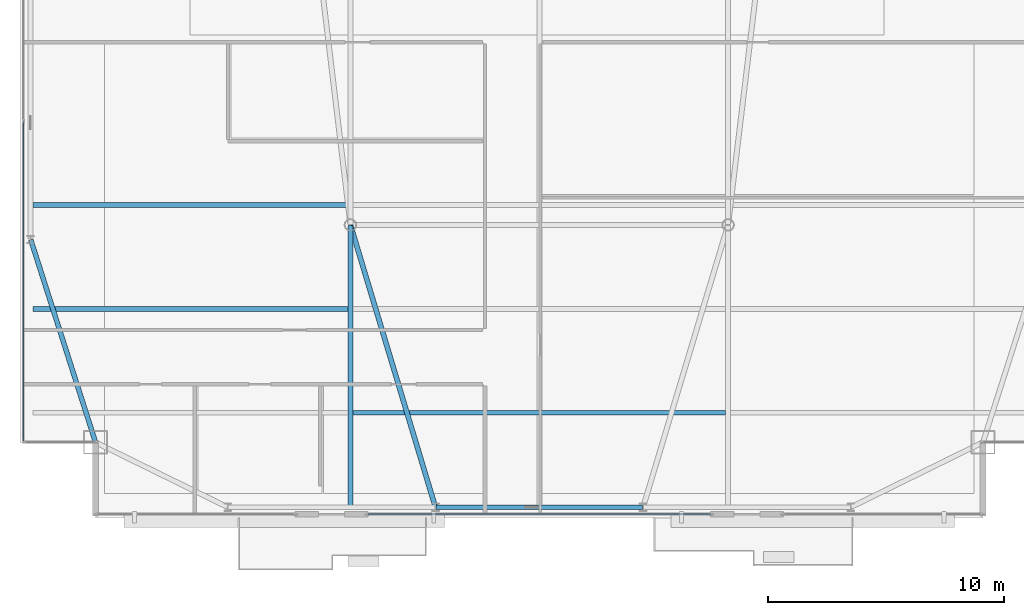
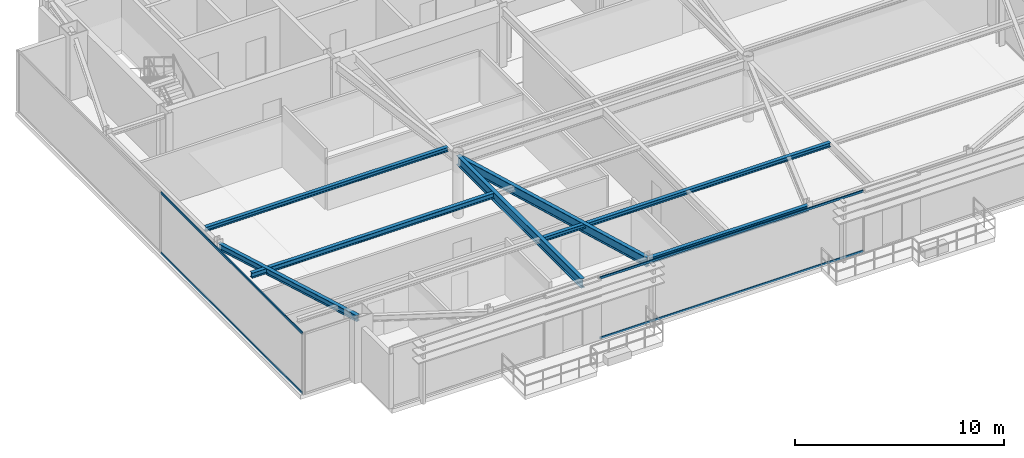
# One storey, part 6 of 24: 7 beams, 4 members, 2 elements without a shape of their own.
"""IFC4 building model written with IfcOpenShell, lengths in metres."""

import ifcopenshell
import ifcopenshell.guid

model = None  # the IFC model being written
_history = None  # IfcOwnerHistory: only IFC2X3 demands one
_inside = {}  # id of a spatial element -> (the spatial element, [elements in it])
_under = {}  # id of a project, library or spatial element -> (it, [spatial elements below it])
_declared = {}  # id of a project -> (the project, [libraries it declares])
_typed = {}  # id of a type object -> (the type object, [elements of that type])
_made_of = {}  # id of a material, layer set ... -> (it, [elements and type objects made of it])


def new_model(schema):
    """Start an empty IFC model of exactly this schema.

    Asked for "IFC4X3", IfcOpenShell would pick the latest addendum, in which some entities
    have other attributes; the version numbers below select the first issue.
    IFC2X3 requires an IfcOwnerHistory on every rooted entity: one is made here for all.
    """
    global model, _history
    if schema == "IFC4X3":
        model = ifcopenshell.file(schema_version=(4, 3, 0, 0))
    else:
        model = ifcopenshell.file(schema=schema)
    _inside.clear()
    _under.clear()
    _declared.clear()
    _typed.clear()
    _made_of.clear()
    _history = None
    if model.schema == "IFC2X3":
        org = make("IfcOrganization", Name="unknown")
        user = make(
            "IfcPersonAndOrganization",
            ThePerson=make("IfcPerson", FamilyName="unknown"),
            TheOrganization=org,
        )
        app = make(
            "IfcApplication",
            ApplicationDeveloper=org,
            Version="unknown",
            ApplicationFullName="unknown",
            ApplicationIdentifier="unknown",
        )
        _history = make(
            "IfcOwnerHistory",
            OwningUser=user,
            OwningApplication=app,
            ChangeAction="ADDED",
            CreationDate=0,
        )
    return model


def make(cls, **values):
    """One entity of the class cls with the attributes given. An attribute that is None is left unset."""
    return model.create_entity(
        cls, **{name: value for name, value in values.items() if value is not None}
    )


def rooted(cls, **values):
    """An entity with a GlobalId (a new one), such as an element, a storey or a relation."""
    return make(cls, GlobalId=ifcopenshell.guid.new(), OwnerHistory=_history, **values)


def si_unit(unit_type, name, prefix=None):
    """IfcSIUnit, for example si_unit("LENGTHUNIT", "METRE", prefix="MILLI")."""
    return make("IfcSIUnit", UnitType=unit_type, Prefix=prefix, Name=name)


def assignment(units):
    """IfcUnitAssignment: the units of a project."""
    return None if units is None else make("IfcUnitAssignment", Units=units)


def point(xyz):
    """IfcCartesianPoint."""
    return None if xyz is None else make("IfcCartesianPoint", Coordinates=xyz)


def direction(xyz):
    """IfcDirection."""
    return None if xyz is None else make("IfcDirection", DirectionRatios=xyz)


def frame(location, z_axis=None, x_axis=None):
    """IfcAxis2Placement3D, a coordinate frame: its origin and axes. An axis left out is left unset."""
    return make(
        "IfcAxis2Placement3D",
        Location=point(location),
        Axis=direction(z_axis),
        RefDirection=direction(x_axis),
    )


def frame_2d(location, x_axis=None):
    """IfcAxis2Placement2D, a coordinate frame in the plane: its origin and x axis."""
    return make(
        "IfcAxis2Placement2D", Location=point(location), RefDirection=direction(x_axis)
    )


def origin():
    """The frame at (0, 0, 0) with its axes left unset."""
    return frame((0.0, 0.0, 0.0))


def origin_2d():
    """The frame at (0, 0) in the plane with its x axis left unset."""
    return frame_2d((0.0, 0.0))


def place(relative_to, where):
    """IfcLocalPlacement: puts the frame where relative to a parent placement (None: the world)."""
    return make(
        "IfcLocalPlacement", PlacementRelTo=relative_to, RelativePlacement=where
    )


def context(
    kind, dimensions, precision=None, world=None, true_north=None, identifier=None
):
    """IfcGeometricRepresentationContext, for example the 3D "Model" context."""
    return make(
        "IfcGeometricRepresentationContext",
        ContextIdentifier=identifier,
        ContextType=kind,
        CoordinateSpaceDimension=dimensions,
        Precision=precision,
        WorldCoordinateSystem=world,
        TrueNorth=true_north,
    )


def subcontext(parent, identifier, kind, view, scale=None):
    """IfcGeometricRepresentationSubContext, for example "Body" below "Model"."""
    return make(
        "IfcGeometricRepresentationSubContext",
        ContextIdentifier=identifier,
        ContextType=kind,
        ParentContext=parent,
        TargetScale=scale,
        TargetView=view,
    )


def project(units=None, contexts=None):
    """IfcProject with its units and contexts."""
    return rooted(
        "IfcProject",
        Name="project",
        RepresentationContexts=contexts,
        UnitsInContext=assignment(units),
    )


def spatial(cls, under=None, at=None, **own):
    """A site, building, storey or space (cls), placed at a placement, below another one or the project."""
    s = rooted(cls, ObjectPlacement=at, **own)
    if under is not None:
        _under.setdefault(under.id(), (under, []))[1].append(s)
    return s


def profile(cls, at=None, kind="AREA", **sizes):
    """A parametric profile (cls). Its sizes go by their IFC names, for example OverallWidth=200.0."""
    return make(cls, ProfileType=kind, Position=at, **sizes)


def hollow_rectangle(**sizes):
    """IfcRectangleHollowProfileDef."""
    return profile("IfcRectangleHollowProfileDef", **sizes)


def i_section(**sizes):
    """IfcIShapeProfileDef."""
    return profile("IfcIShapeProfileDef", **sizes)


def extrude(swept, where, along, depth):
    """IfcExtrudedAreaSolid: the profile swept, set in the frame where, extruded along a direction by depth."""
    return make(
        "IfcExtrudedAreaSolid",
        SweptArea=swept,
        Position=where,
        ExtrudedDirection=direction(along),
        Depth=depth,
    )


def shape(context_of_items, identifier, shape_type, items):
    """IfcShapeRepresentation: the items that make up one representation, for example the "Body"."""
    return make(
        "IfcShapeRepresentation",
        ContextOfItems=context_of_items,
        RepresentationIdentifier=identifier,
        RepresentationType=shape_type,
        Items=items,
    )


def source(mapping_origin, context_of_items, identifier, shape_type, items):
    """IfcRepresentationMap: a shape defined once, which mapped items show again and again."""
    return make(
        "IfcRepresentationMap",
        MappingOrigin=mapping_origin,
        MappedRepresentation=shape(context_of_items, identifier, shape_type, items),
    )


def transform(
    local_origin,
    x_axis=None,
    y_axis=None,
    z_axis=None,
    scale=None,
    scale2=None,
    scale3=None,
    uniform=True,
):
    """IfcCartesianTransformationOperator3D, or its non-uniform kind. x_axis, y_axis, z_axis: its Axis1, 2, 3."""
    if uniform:
        return make(
            "IfcCartesianTransformationOperator3D",
            Axis1=direction(x_axis),
            Axis2=direction(y_axis),
            LocalOrigin=point(local_origin),
            Scale=scale,
            Axis3=direction(z_axis),
        )
    return make(
        "IfcCartesianTransformationOperator3DnonUniform",
        Axis1=direction(x_axis),
        Axis2=direction(y_axis),
        LocalOrigin=point(local_origin),
        Scale=scale,
        Axis3=direction(z_axis),
        Scale2=scale2,
        Scale3=scale3,
    )


def mapped(mapping_source, mapping_target):
    """IfcMappedItem: shows the shape of a source again, moved by a transform."""
    return make(
        "IfcMappedItem", MappingSource=mapping_source, MappingTarget=mapping_target
    )


def material(Name=None, Category=None):
    """IfcMaterial."""
    return make("IfcMaterial", Name=Name, Category=Category)


def layer(
    of_material, thickness, ventilated=None, Name=None, Category=None, Priority=None
):
    """IfcMaterialLayer: one layer of a wall or slab, of a material (None: an air gap)."""
    return make(
        "IfcMaterialLayer",
        Material=of_material,
        LayerThickness=thickness,
        IsVentilated=ventilated,
        Name=Name,
        Category=Category,
        Priority=Priority,
    )


def layer_set(layers, Name=None):
    """IfcMaterialLayerSet."""
    return make("IfcMaterialLayerSet", MaterialLayers=layers, LayerSetName=Name)


def material_profile(
    of_material, cross_section, Name=None, Category=None, Priority=None
):
    """IfcMaterialProfile: a cross section and its material."""
    return make(
        "IfcMaterialProfile",
        Name=Name,
        Material=of_material,
        Profile=cross_section,
        Priority=Priority,
        Category=Category,
    )


def profile_set(profiles, Name=None, composite=None):
    """IfcMaterialProfileSet."""
    return make(
        "IfcMaterialProfileSet",
        Name=Name,
        MaterialProfiles=profiles,
        CompositeProfile=composite,
    )


def made_of(thing, what):
    """Note that an element or type object is made of a material, layer set ...; save() writes the relation."""
    if what is not None:
        _made_of.setdefault(what.id(), (what, []))[1].append(thing)
    return thing


def type_object(cls, material=None, **own):
    """A type object (cls), such as IfcWallType, which elements share."""
    return made_of(rooted(cls, **own), material)


def type_shapes(of_type, sources):
    """Give a type object the sources (RepresentationMaps) that its elements show as mapped items."""
    of_type.RepresentationMaps = sources


def element(
    cls,
    number,
    at=None,
    inside=None,
    cuts=None,
    type_object=None,
    material=None,
    context=None,
    identifier="Body",
    shape_type=None,
    held_by="IfcProductDefinitionShape",
    body=None,
    shapes=None,
    **own,
):
    """One element of the class cls, such as IfcWall. Its Tag is "e" and its number.

    at: its placement. inside: the storey or other place that contains it. cuts: it is an
    opening in that element (IfcRelVoidsElement). A single representation is given by context,
    identifier, shape_type and body (its items); several are given by shapes. held_by: the class
    of the entity that holds the representations. save() writes the other relations.
    """
    e = rooted(cls, Tag="e%d" % number, ObjectPlacement=at, **own)
    if body is not None:
        shapes = [shape(context, identifier, shape_type, body)]
    if shapes is not None:
        e.Representation = make(held_by, Representations=shapes)
    if inside is not None:
        _inside.setdefault(inside.id(), (inside, []))[1].append(e)
    if cuts is not None:
        rooted(
            "IfcRelVoidsElement", RelatingBuildingElement=cuts, RelatedOpeningElement=e
        )
    if type_object is not None:
        _typed.setdefault(type_object.id(), (type_object, []))[1].append(e)
    return made_of(e, material)


def aggregate(whole, parts):
    """IfcRelAggregates: a whole, such as a stair, and the parts it consists of."""
    return rooted("IfcRelAggregates", RelatingObject=whole, RelatedObjects=parts)


def save(model, path):
    """Write the relations noted so far, then the file.

    IfcRelAggregates (storeys below a building ...), IfcRelContainedInSpatialStructure (elements
    in a storey), IfcRelDefinesByType, IfcRelAssociatesMaterial and IfcRelDeclares: one each for
    every whole, place, type object, material and project.
    """
    for whole, parts in _under.values():
        aggregate(whole, parts)
    for where, things in _inside.values():
        rooted(
            "IfcRelContainedInSpatialStructure",
            RelatedElements=things,
            RelatingStructure=where,
        )
    for kind, things in _typed.values():
        rooted("IfcRelDefinesByType", RelatedObjects=things, RelatingType=kind)
    for what, things in _made_of.values():
        rooted("IfcRelAssociatesMaterial", RelatedObjects=things, RelatingMaterial=what)
    for by, libraries in _declared.values():
        rooted("IfcRelDeclares", RelatingContext=by, RelatedDefinitions=libraries)
    model.write(path)


model = new_model("IFC4")

# Units and contexts
model_context = context("Model", 3, precision=1e-05, world=origin(), true_north=direction((0.0, 1.0)))
body_context = subcontext(model_context, "Body", "Model", "MODEL_VIEW")
ifc_project = project(units=[si_unit("LENGTHUNIT", "METRE"), si_unit("AREAUNIT", "SQUARE_METRE"), si_unit("VOLUMEUNIT", "CUBIC_METRE"), si_unit("PLANEANGLEUNIT", "RADIAN"), si_unit("MASSUNIT", "GRAM", prefix="KILO")], contexts=[model_context])

# Site, building, storey
site_placement = place(None, origin())
site = spatial("IfcSite", under=ifc_project, at=site_placement, CompositionType="ELEMENT")
building_placement = place(site_placement, origin())
building = spatial("IfcBuilding", under=site, at=building_placement, Name="Varnel Quay Broadcast Tower", CompositionType="ELEMENT")
storey_placement = place(building_placement, frame((0.0, 0.0, 281.199951171875)))
storey = spatial("IfcBuildingStorey", under=building, at=storey_placement, Name="L70", CompositionType="ELEMENT", Elevation=281.199951171875)

# Beams
ifc_material_1 = material(Name="Structural Steel CSA G40.21 350W", Category="steel")
ifc_material_profile_1 = material_profile(ifc_material_1, i_section(OverallWidth=0.205078125, OverallDepth=0.35400390625, WebThickness=0.009521484375, FlangeThickness=0.016845703125, FilletRadius=0.012939453125, at=origin_2d()), Name="W360X79")
ifc_profile_set_1 = profile_set([ifc_material_profile_1], Name="Structural Steel CSA G40.21 350W")
beam_type_1 = type_object("IfcBeamType", Name="Beam_W360X79", PredefinedType="SPANDREL", material=ifc_profile_set_1)
shared_shape_1 = source(origin(), body_context, "Body", "SweptSolid", [
    extrude(i_section(OverallWidth=0.205078125, OverallDepth=0.35400390625, WebThickness=0.009521484375, FlangeThickness=0.016845703125, FilletRadius=0.012939453125, at=origin_2d()), origin(), (0.0, 0.0, 1.0), 8.759765625),
])
beam_1_placement = place(storey_placement, frame((29.6201171875, 13.64990234375, 3.373046875), z_axis=(1.0, 0.0, 0.0), x_axis=(0.0, 1.0, 0.0)))
element("IfcBeam", 1, at=beam_1_placement, inside=storey, type_object=beam_type_1, Name="L70 South Spandrel TC-S2-TC-S3", PredefinedType="SPANDREL", context=body_context, shape_type="MappedRepresentation", body=[
    mapped(shared_shape_1, transform((0.0, 0.0, 0.0), x_axis=(1.0, 0.0, 0.0), y_axis=(0.0, 1.0, 0.0), z_axis=(0.0, 0.0, 1.0), scale=1.0)),
])
shared_shape_2 = source(origin(), body_context, "Body", "SweptSolid", [
    extrude(i_section(OverallWidth=0.205078125, OverallDepth=0.35400390625, WebThickness=0.009521484375, FlangeThickness=0.016845703125, FilletRadius=0.012939453125, at=origin_2d()), origin(), (0.0, 0.0, 1.0), 8.989013671875),
])
type_shapes(beam_type_1, [shared_shape_1, shared_shape_2])
beam_2_placement = place(storey_placement, frame((15.19384765625, 16.4189453125, 3.373046875), z_axis=(-0.304568770162, 0.952490348635, 0.0), x_axis=(-0.952490348635, -0.304568770162, 0.0)))
element("IfcBeam", 2, at=beam_2_placement, inside=storey, type_object=beam_type_1, Name="L70 West Spandrel MC-SW-TC-W1", PredefinedType="SPANDREL", context=body_context, shape_type="MappedRepresentation", body=[
    mapped(shared_shape_2, transform((0.0, 0.0, 0.0), x_axis=(1.0, 0.0, 0.0), y_axis=(0.0, 1.0, 0.0), z_axis=(0.0, 0.0, 1.0), scale=1.0)),
])
ifc_material_profile_2 = material_profile(ifc_material_1, i_section(OverallWidth=0.2119140625, OverallDepth=0.5439453125, WebThickness=0.01318359375, FlangeThickness=0.021240234375, FilletRadius=0.013916015625, at=origin_2d()), Name="W530X123")
ifc_profile_set_2 = profile_set([ifc_material_profile_2], Name="Structural Steel CSA G40.21 350W")
beam_type_2 = type_object("IfcBeamType", Name="Girder_W530X123", PredefinedType="BEAM", material=ifc_profile_set_2)
shared_shape_3 = source(origin(), body_context, "Body", "SweptSolid", [
    extrude(i_section(OverallWidth=0.2119140625, OverallDepth=0.5439453125, WebThickness=0.01318359375, FlangeThickness=0.021240234375, FilletRadius=0.013916015625, at=origin_2d()), origin(), (0.0, 0.0, 1.0), 12.449951171875),
])
beam_3_placement = place(storey_placement, frame((29.59423828125, 13.669189453125, 3.278076171875), z_axis=(-0.28822390679, 0.957563042078, 0.0), x_axis=(-0.957563042078, -0.28822390679, 0.0)))
element("IfcBeam", 3, at=beam_3_placement, inside=storey, type_object=beam_type_2, Name="L70 Primary Girder TC-S2-IC-01", PredefinedType="BEAM", context=body_context, shape_type="MappedRepresentation", body=[
    mapped(shared_shape_3, transform((0.0, 0.0, 0.0), x_axis=(1.0, 0.0, 0.0), y_axis=(0.0, 1.0, 0.0), z_axis=(0.0, 0.0, 1.0), scale=1.0)),
])
shared_shape_4 = source(origin(), body_context, "Body", "SweptSolid", [
    extrude(i_section(OverallWidth=0.2119140625, OverallDepth=0.5439453125, WebThickness=0.01318359375, FlangeThickness=0.021240234375, FilletRadius=0.013916015625, at=origin_2d()), origin(), (0.0, 0.0, 1.0), 11.920166015625),
])
type_shapes(beam_type_2, [shared_shape_3, shared_shape_4])
beam_4_placement = place(storey_placement, frame((26.0, 13.669921875, 3.278076171875), z_axis=(0.0, 1.0, 0.0), x_axis=(-1.0, 0.0, 0.0)))
element("IfcBeam", 4, at=beam_4_placement, inside=storey, type_object=beam_type_2, Name="L70 N-S Joist Header IC-01S", PredefinedType="BEAM", context=body_context, shape_type="MappedRepresentation", body=[
    mapped(shared_shape_4, transform((0.0, 0.0, 0.0), x_axis=(1.0, 0.0, 0.0), y_axis=(0.0, 1.0, 0.0), z_axis=(0.0, 0.0, 1.0), scale=1.0)),
])
ifc_material_profile_3 = material_profile(ifc_material_1, i_section(OverallWidth=0.201904296875, OverallDepth=0.2470703125, WebThickness=0.00732421875, FlangeThickness=0.010986328125, FilletRadius=0.010986328125, at=origin_2d()), Name="W250X49")
ifc_profile_set_3 = profile_set([ifc_material_profile_3], Name="Structural Steel CSA G40.21 350W")
beam_type_3 = type_object("IfcBeamType", Name="Beam_W250X49", PredefinedType="JOIST", material=ifc_profile_set_3)
shared_shape_5 = source(origin(), body_context, "Body", "SweptSolid", [
    extrude(i_section(OverallWidth=0.201904296875, OverallDepth=0.2470703125, WebThickness=0.00732421875, FlangeThickness=0.010986328125, FilletRadius=0.010986328125, at=origin_2d()), origin(), (0.0, 0.0, 1.0), 13.351318359375),
])
beam_5_placement = place(storey_placement, frame((12.547607421875, 26.449951171875, 3.426513671875), z_axis=(1.0, 0.0, 0.0), x_axis=(0.0, 1.0, 0.0)))
element("IfcBeam", 5, at=beam_5_placement, inside=storey, type_object=beam_type_3, Name="L70 West Floor Joist 3", PredefinedType="JOIST", context=body_context, shape_type="MappedRepresentation", body=[
    mapped(shared_shape_5, transform((0.0, 0.0, 0.0), x_axis=(1.0, 0.0, 0.0), y_axis=(0.0, 1.0, 0.0), z_axis=(0.0, 0.0, 1.0), scale=1.0)),
])
shared_shape_6 = source(origin(), body_context, "Body", "SweptSolid", [
    extrude(i_section(OverallWidth=0.201904296875, OverallDepth=0.2470703125, WebThickness=0.00732421875, FlangeThickness=0.010986328125, FilletRadius=0.010986328125, at=origin_2d()), origin(), (0.0, 0.0, 1.0), 15.7978515625),
])
type_shapes(beam_type_3, [shared_shape_5, shared_shape_6])
beam_6_placement = place(storey_placement, frame((26.10107421875, 17.64990234375, 3.426513671875), z_axis=(1.0, 0.0, 0.0), x_axis=(0.0, 1.0, 0.0)))
element("IfcBeam", 6, at=beam_6_placement, inside=storey, type_object=beam_type_3, Name="L70 Central Floor Joist 1", PredefinedType="JOIST", context=body_context, shape_type="MappedRepresentation", body=[
    mapped(shared_shape_6, transform((0.0, 0.0, 0.0), x_axis=(1.0, 0.0, 0.0), y_axis=(0.0, 1.0, 0.0), z_axis=(0.0, 0.0, 1.0), scale=1.0)),
])
ifc_material_profile_4 = material_profile(ifc_material_1, i_section(OverallWidth=0.202880859375, OverallDepth=0.302978515625, WebThickness=0.007568359375, FlangeThickness=0.01318359375, FilletRadius=0.011962890625, at=origin_2d()), Name="W310X60")
ifc_profile_set_4 = profile_set([ifc_material_profile_4], Name="Structural Steel CSA G40.21 350W")
beam_type_4 = type_object("IfcBeamType", Name="Beam_W310X60", PredefinedType="JOIST", material=ifc_profile_set_4)
shared_shape_7 = source(origin(), body_context, "Body", "SweptSolid", [
    extrude(i_section(OverallWidth=0.202880859375, OverallDepth=0.302978515625, WebThickness=0.007568359375, FlangeThickness=0.01318359375, FilletRadius=0.011962890625, at=origin_2d()), origin(), (0.0, 0.0, 1.0), 13.351318359375),
])
type_shapes(beam_type_4, [shared_shape_7])
beam_7_placement = place(storey_placement, frame((12.547607421875, 22.050048828125, 3.3984375), z_axis=(1.0, 0.0, 0.0), x_axis=(0.0, 1.0, 0.0)))
element("IfcBeam", 7, at=beam_7_placement, inside=storey, type_object=beam_type_4, Name="L70 West Floor Joist 2", PredefinedType="JOIST", context=body_context, shape_type="MappedRepresentation", body=[
    mapped(shared_shape_7, transform((0.0, 0.0, 0.0), x_axis=(1.0, 0.0, 0.0), y_axis=(0.0, 1.0, 0.0), z_axis=(0.0, 0.0, 1.0), scale=1.0)),
])

# Curtain wall, members
ifc_material_2 = material(Name="Anodised Bronze Aluminium 6063-T6", Category="aluminium")
ifc_layer = layer(ifc_material_2, 0.18994140625, Name="Anodised Bronze Aluminium 6063-T6")
ifc_layer_set = layer_set([ifc_layer], Name="Anodised Bronze Aluminium 6063-T6")
curtain_wall_type = type_object("IfcCurtainWallType", Name="CW_UpperTower", PredefinedType="NOTDEFINED", material=ifc_layer_set)
curtain_wall_1_placement = place(storey_placement, origin())
curtain_wall_1 = element("IfcCurtainWall", 8, at=curtain_wall_1_placement, inside=storey, type_object=curtain_wall_type, Name="L70 West Unitised Curtain Wall", PredefinedType="NOTDEFINED")
ifc_material_profile_5 = material_profile(ifc_material_2, hollow_rectangle(XDim=0.06005859375, YDim=0.125, WallThickness=0.0029296875, at=origin_2d()), Name="ALU60X125X3")
ifc_profile_set_5 = profile_set([ifc_material_profile_5], Name="Anodised Bronze Aluminium 6063-T6")
member_type = type_object("IfcMemberType", Name="Tran_CWS-03", PredefinedType="USERDEFINED", material=ifc_profile_set_5)
shared_shape_8 = source(origin(), body_context, "Body", "SweptSolid", [
    extrude(hollow_rectangle(XDim=0.06005859375, YDim=0.125, WallThickness=0.0029296875, at=origin_2d()), origin(), (0.0, 0.0, 1.0), 13.50244140625),
])
member_1_placement = place(storey_placement, frame((12.14990234375, 16.465087890625, 0.030029296875), z_axis=(0.0, 1.0, 0.0), x_axis=(-1.0, 0.0, 0.0)))
member_1 = element("IfcMember", 9, at=member_1_placement, type_object=member_type, Name="CWS-03 transom 1.1", ObjectType="TRANSOM", PredefinedType="USERDEFINED", context=body_context, shape_type="MappedRepresentation", body=[
    mapped(shared_shape_8, transform((0.0, 0.0, 0.0), x_axis=(1.0, 0.0, 0.0), y_axis=(0.0, 1.0, 0.0), z_axis=(0.0, 0.0, 1.0), scale=1.0)),
])
member_2_placement = place(storey_placement, frame((12.14990234375, 16.465087890625, 3.52001953125), z_axis=(0.0, 1.0, 0.0), x_axis=(-1.0, 0.0, 0.0)))
member_2 = element("IfcMember", 10, at=member_2_placement, type_object=member_type, Name="CWS-03 transom 1.2", ObjectType="TRANSOM", PredefinedType="USERDEFINED", context=body_context, shape_type="MappedRepresentation", body=[
    mapped(shared_shape_8, transform((0.0, 0.0, 0.0), x_axis=(1.0, 0.0, 0.0), y_axis=(0.0, 1.0, 0.0), z_axis=(0.0, 0.0, 1.0), scale=1.0)),
])
aggregate(curtain_wall_1, [member_1, member_2])

curtain_wall_2_placement = place(storey_placement, origin())
curtain_wall_2 = element("IfcCurtainWall", 11, at=curtain_wall_2_placement, inside=storey, type_object=curtain_wall_type, Name="L70 South Unitised Curtain Wall 2", PredefinedType="NOTDEFINED")
shared_shape_9 = source(origin(), body_context, "Body", "SweptSolid", [
    extrude(hollow_rectangle(XDim=0.06005859375, YDim=0.125, WallThickness=0.0029296875, at=origin_2d()), origin(), (0.0, 0.0, 1.0), 14.509765625),
])
type_shapes(member_type, [shared_shape_8, shared_shape_9])
member_3_placement = place(storey_placement, frame((26.7451171875, 13.35009765625, 0.030029296875), z_axis=(1.0, 0.0, 0.0), x_axis=(0.0, 1.0, 0.0)))
member_3 = element("IfcMember", 12, at=member_3_placement, type_object=member_type, Name="CWS-03 transom 1.1", ObjectType="TRANSOM", PredefinedType="USERDEFINED", context=body_context, shape_type="MappedRepresentation", body=[
    mapped(shared_shape_9, transform((0.0, 0.0, 0.0), x_axis=(1.0, 0.0, 0.0), y_axis=(0.0, 1.0, 0.0), z_axis=(0.0, 0.0, 1.0), scale=1.0)),
])
member_4_placement = place(storey_placement, frame((26.7451171875, 13.35009765625, 3.52001953125), z_axis=(1.0, 0.0, 0.0), x_axis=(0.0, 1.0, 0.0)))
member_4 = element("IfcMember", 13, at=member_4_placement, type_object=member_type, Name="CWS-03 transom 1.2", ObjectType="TRANSOM", PredefinedType="USERDEFINED", context=body_context, shape_type="MappedRepresentation", body=[
    mapped(shared_shape_9, transform((0.0, 0.0, 0.0), x_axis=(1.0, 0.0, 0.0), y_axis=(0.0, 1.0, 0.0), z_axis=(0.0, 0.0, 1.0), scale=1.0)),
])
aggregate(curtain_wall_2, [member_3, member_4])

save(model, "model.ifc")
